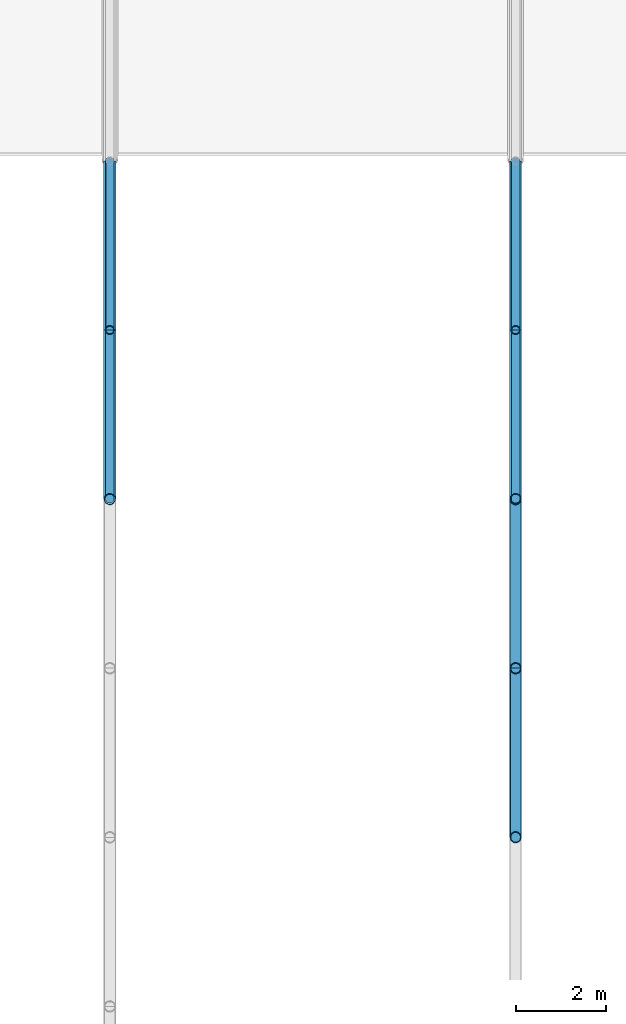
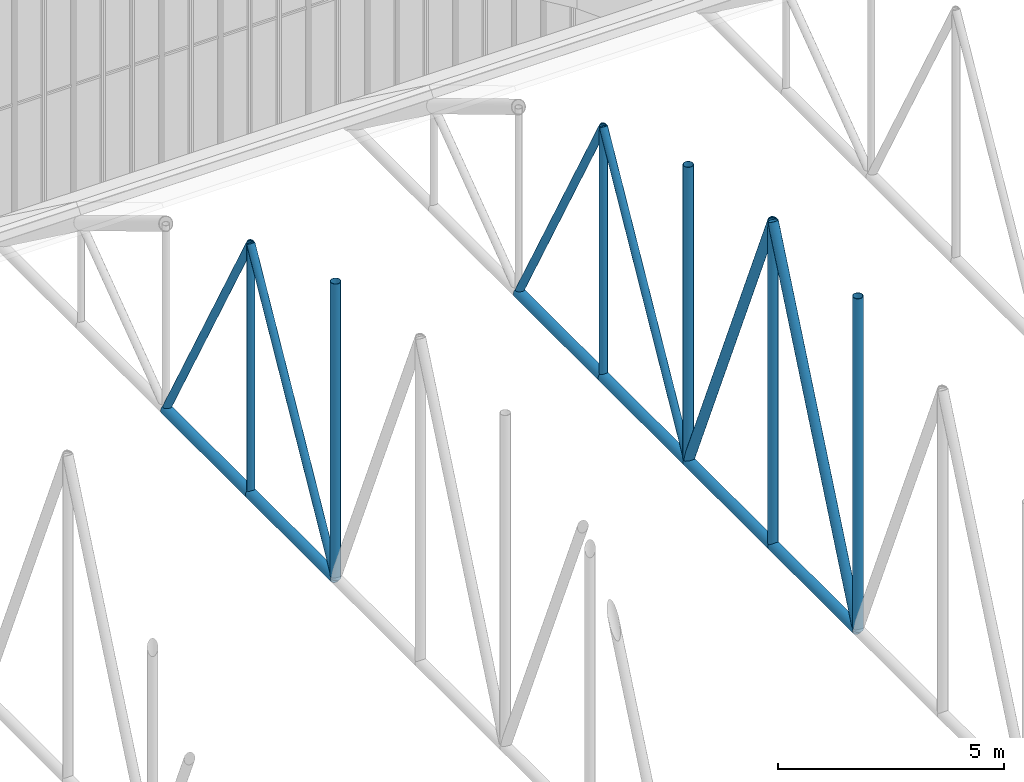
# One storey, part 51 of 153: 18 members.
"""IFC4 building model written with IfcOpenShell, lengths in metres."""

from ifc_helpers import new_model, si_unit, direction, frame, origin, origin_2d, place, context, subcontext, project, spatial, hollow_circle, extrude, material, material_profile, profile_set, type_object, element, save


model = new_model("IFC4")

# Units and contexts
model_context = context("Model", 3, precision=1e-05, world=origin(), true_north=direction((0.0, 1.0)))
body_context = subcontext(model_context, "Body", "Model", "MODEL_VIEW")
ifc_project = project(units=[si_unit("LENGTHUNIT", "METRE"), si_unit("AREAUNIT", "SQUARE_METRE"), si_unit("VOLUMEUNIT", "CUBIC_METRE"), si_unit("PLANEANGLEUNIT", "RADIAN"), si_unit("MASSUNIT", "GRAM", prefix="KILO")], contexts=[model_context])

# Site, building, storey
site_placement = place(None, origin())
site = spatial("IfcSite", under=ifc_project, at=site_placement, CompositionType="ELEMENT")
building_placement = place(site_placement, origin())
building = spatial("IfcBuilding", under=site, at=building_placement, Name="Baradari Gate Terminus", CompositionType="ELEMENT")
storey_placement = place(building_placement, frame((0.0, 0.0, 11.699951171875)))
storey = spatial("IfcBuildingStorey", under=building, at=storey_placement, Name="L02", CompositionType="ELEMENT", Elevation=11.699951171875)

# Members
ifc_material_1 = material(Name="Steel S355", Category="steel")
ifc_material_profile_1 = material_profile(ifc_material_1, hollow_circle(Radius=0.136474609375, WallThickness=0.012451171875, at=origin_2d()), Name="CHS 273x12.5")
ifc_profile_set_1 = profile_set([ifc_material_profile_1], Name="Steel S355")
member_type_1 = type_object("IfcMemberType", Name="Shed bottom chord CHS 273x12.5", PredefinedType="CHORD", material=ifc_profile_set_1)
for number, where, z_axis, x_axis, name in (
    (1, (153.0, 66.0, 0.136474609375), (0.0, 1.0, 0.0), (-1.0, 0.0, 0.0), "TR/L02/S153-BC08"),
    (2, (153.0, 69.75, 0.136474609375), (0.0, 1.0, 0.0), (-1.0, 0.0, 0.0), "TR/L02/S153-BC09"),
    (3, (162.0, 58.5, 0.136474609375), (0.0, 1.0, 0.0), (-1.0, 0.0, 0.0), "TR/L02/S162-BC06"),
    (4, (162.0, 62.25, 0.136474609375), (0.0, 1.0, 0.0), (-1.0, 0.0, 0.0), "TR/L02/S162-BC07"),
    (5, (162.0, 66.0, 0.136474609375), (0.0, 1.0, 0.0), (-1.0, 0.0, 0.0), "TR/L02/S162-BC08"),
    (6, (162.0, 69.75, 0.136474609375), (0.0, 1.0, 0.0), (-1.0, 0.0, 0.0), "TR/L02/S162-BC09"),
):
    element("IfcMember", number, at=place(storey_placement, frame(where, z_axis=z_axis, x_axis=x_axis)), inside=storey, type_object=member_type_1, Name=name, PredefinedType="CHORD", context=body_context, shape_type="SweptSolid", body=[
        extrude(hollow_circle(Radius=0.136474609375, WallThickness=0.012451171875, at=origin_2d()), origin(), (0.0, 0.0, 1.0), 3.75),
    ])
ifc_material_2 = material(Name="Steel S355", Category="steel")
ifc_material_profile_2 = material_profile(ifc_material_2, hollow_circle(Radius=0.096923828125, WallThickness=0.008056640625, at=origin_2d()), Name="CHS 193.7x8")
ifc_profile_set_2 = profile_set([ifc_material_profile_2], Name="Steel S355")
member_type_2 = type_object("IfcMemberType", Name="Shed truss diagonal CHS 193.7x8", PredefinedType="BRACE", material=ifc_profile_set_2)
for number, where, z_axis, x_axis, name in (
    (7, (153.0, 69.75, 6.886474609375), (0.0, -0.485642931179, -0.874157276122), (1.0, 0.0, 0.0), "TR/L02/S153-SD08"),
    (8, (153.0, 69.75, 6.886474609375), (0.0, 0.485642931179, -0.874157276122), (-1.0, 0.0, 0.0), "TR/L02/S153-SD09"),
    (9, (162.0, 69.75, 6.886474609375), (0.0, -0.485642931179, -0.874157276122), (1.0, 0.0, 0.0), "TR/L02/S162-SD08"),
    (10, (162.0, 69.75, 6.886474609375), (0.0, 0.485642931179, -0.874157276122), (-1.0, 0.0, 0.0), "TR/L02/S162-SD09"),
):
    element("IfcMember", number, at=place(storey_placement, frame(where, z_axis=z_axis, x_axis=x_axis)), inside=storey, type_object=member_type_2, Name=name, PredefinedType="BRACE", context=body_context, shape_type="SweptSolid", body=[
        extrude(hollow_circle(Radius=0.096923828125, WallThickness=0.008056640625, at=origin_2d()), origin(), (0.0, 0.0, 1.0), 7.7216796875),
    ])
ifc_material_3 = material(Name="Steel S355", Category="steel")
ifc_material_profile_3 = material_profile(ifc_material_3, hollow_circle(Radius=0.122314453125, WallThickness=0.010009765625, at=origin_2d()), Name="CHS 244.5x10")
ifc_profile_set_3 = profile_set([ifc_material_profile_3], Name="Steel S355")
member_type_3 = type_object("IfcMemberType", Name="Shed truss diagonal CHS 244.5x10", PredefinedType="BRACE", material=ifc_profile_set_3)
for number, where, z_axis, x_axis, name in (
    (11, (162.0, 62.25, 8.886474609375), (0.0, -0.393919298579, -0.919145030018), (1.0, 0.0, 0.0), "TR/L02/S162-SD06"),
    (12, (162.0, 62.25, 8.886474609375), (0.0, 0.393919298579, -0.919145030018), (-1.0, 0.0, 0.0), "TR/L02/S162-SD07"),
):
    element("IfcMember", number, at=place(storey_placement, frame(where, z_axis=z_axis, x_axis=x_axis)), inside=storey, type_object=member_type_3, Name=name, PredefinedType="BRACE", context=body_context, shape_type="SweptSolid", body=[
        extrude(hollow_circle(Radius=0.122314453125, WallThickness=0.010009765625, at=origin_2d()), origin(), (0.0, 0.0, 1.0), 9.519775390625),
    ])
ifc_material_4 = material(Name="Steel S355", Category="steel")
ifc_material_profile_4 = material_profile(ifc_material_4, hollow_circle(Radius=0.096923828125, WallThickness=0.008056640625, at=origin_2d()), Name="CHS 193.7x8")
ifc_profile_set_4 = profile_set([ifc_material_profile_4], Name="Steel S355")
member_type_4 = type_object("IfcMemberType", Name="Shed truss post CHS 193.7x8", PredefinedType="POST", material=ifc_profile_set_4)
for number, where, z_axis, x_axis, name in (
    (13, (153.0, 69.75, 0.136474609375), (0.0, 0.0, 1.0), (1.0, 0.0, 0.0), "TR/L02/S153-SP09"),
    (14, (162.0, 69.75, 0.136474609375), (0.0, 0.0, 1.0), (1.0, 0.0, 0.0), "TR/L02/S162-SP09"),
):
    element("IfcMember", number, at=place(storey_placement, frame(where, z_axis=z_axis, x_axis=x_axis)), inside=storey, type_object=member_type_4, Name=name, PredefinedType="POST", context=body_context, shape_type="SweptSolid", body=[
        extrude(hollow_circle(Radius=0.096923828125, WallThickness=0.008056640625, at=origin_2d()), origin(), (0.0, 0.0, 1.0), 6.75),
    ])
ifc_material_5 = material(Name="Steel S355", Category="steel")
ifc_material_profile_5 = material_profile(ifc_material_5, hollow_circle(Radius=0.122314453125, WallThickness=0.010009765625, at=origin_2d()), Name="CHS 244.5x10")
ifc_profile_set_5 = profile_set([ifc_material_profile_5], Name="Steel S355")
member_type_5 = type_object("IfcMemberType", Name="Shed truss post CHS 244.5x10", PredefinedType="POST", material=ifc_profile_set_5)
member_1_placement = place(storey_placement, frame((153.0, 66.0, 0.136474609375), z_axis=(0.0, 0.0, 1.0), x_axis=(1.0, 0.0, 0.0)))
element("IfcMember", 15, at=member_1_placement, inside=storey, type_object=member_type_5, Name="TR/L02/S153-SP08", PredefinedType="POST", context=body_context, shape_type="SweptSolid", body=[
    extrude(hollow_circle(Radius=0.122314453125, WallThickness=0.010009765625, at=origin_2d()), origin(), (0.0, 0.0, 1.0), 8.0),
])
member_2_placement = place(storey_placement, frame((162.0, 58.5, 0.136474609375), z_axis=(0.0, 0.0, 1.0), x_axis=(1.0, 0.0, 0.0)))
element("IfcMember", 16, at=member_2_placement, inside=storey, type_object=member_type_5, Name="TR/L02/S162-SP06", PredefinedType="POST", context=body_context, shape_type="SweptSolid", body=[
    extrude(hollow_circle(Radius=0.122314453125, WallThickness=0.010009765625, at=origin_2d()), origin(), (0.0, 0.0, 1.0), 9.0),
])
member_3_placement = place(storey_placement, frame((162.0, 62.25, 0.136474609375), z_axis=(0.0, 0.0, 1.0), x_axis=(1.0, 0.0, 0.0)))
element("IfcMember", 17, at=member_3_placement, inside=storey, type_object=member_type_5, Name="TR/L02/S162-SP07", PredefinedType="POST", context=body_context, shape_type="SweptSolid", body=[
    extrude(hollow_circle(Radius=0.122314453125, WallThickness=0.010009765625, at=origin_2d()), origin(), (0.0, 0.0, 1.0), 8.75),
])
member_4_placement = place(storey_placement, frame((162.0, 66.0, 0.136474609375), z_axis=(0.0, 0.0, 1.0), x_axis=(1.0, 0.0, 0.0)))
element("IfcMember", 18, at=member_4_placement, inside=storey, type_object=member_type_5, Name="TR/L02/S162-SP08", PredefinedType="POST", context=body_context, shape_type="SweptSolid", body=[
    extrude(hollow_circle(Radius=0.122314453125, WallThickness=0.010009765625, at=origin_2d()), origin(), (0.0, 0.0, 1.0), 8.0),
])

save(model, "model.ifc")
